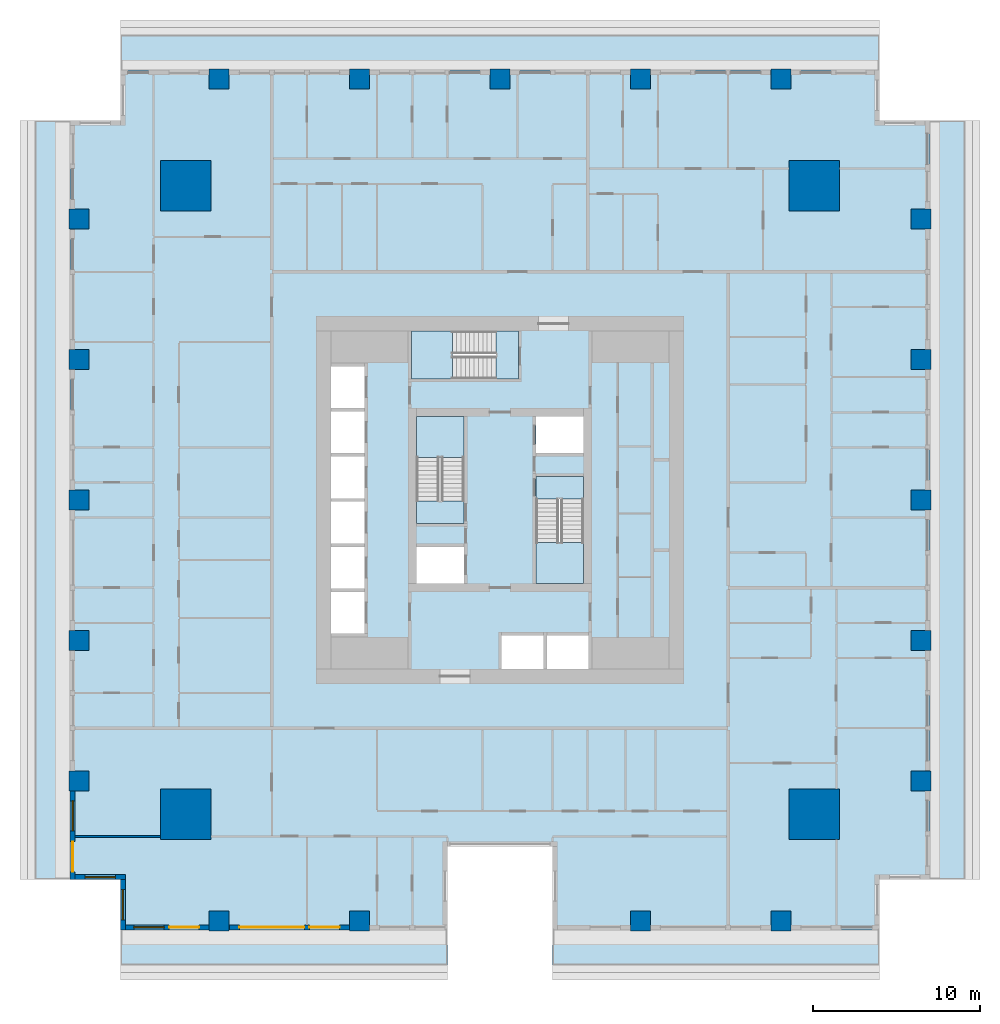
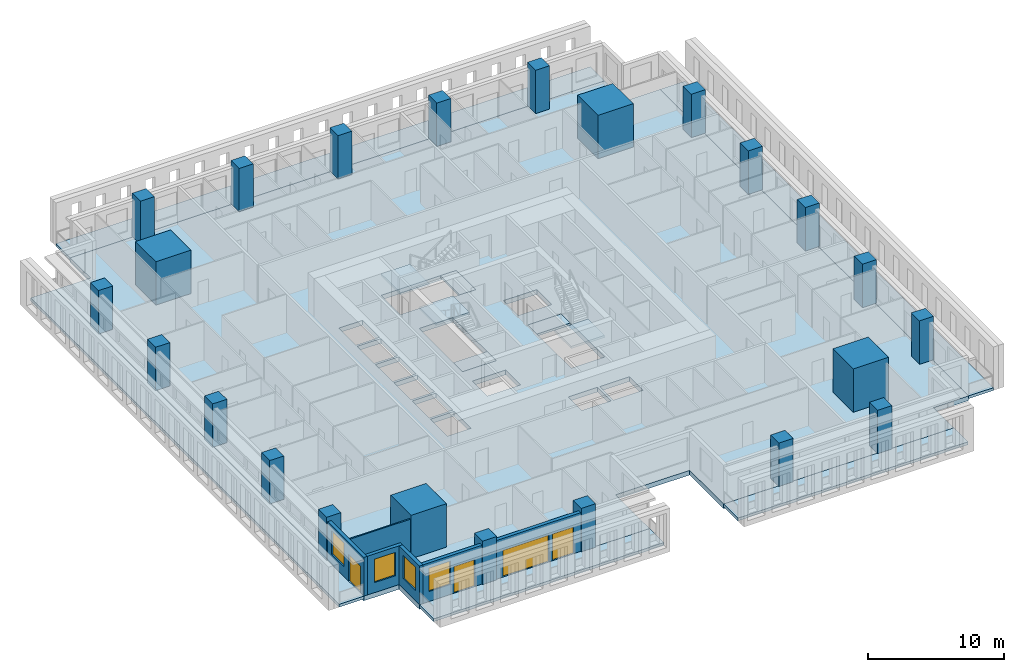
# One storey, part 1 of 15: 23 columns, 12 slabs, 6 walls, 4 doors, 4 windows, 8 openings, 3 elements without a shape of their own.
"""IFC4 building model written with IfcOpenShell, lengths in metres."""

import ifcopenshell
import ifcopenshell.guid

model = None  # the IFC model being written
_history = None  # IfcOwnerHistory: only IFC2X3 demands one
_inside = {}  # id of a spatial element -> (the spatial element, [elements in it])
_under = {}  # id of a project, library or spatial element -> (it, [spatial elements below it])
_declared = {}  # id of a project -> (the project, [libraries it declares])
_typed = {}  # id of a type object -> (the type object, [elements of that type])
_made_of = {}  # id of a material, layer set ... -> (it, [elements and type objects made of it])


def new_model(schema):
    """Start an empty IFC model of exactly this schema.

    Asked for "IFC4X3", IfcOpenShell would pick the latest addendum, in which some entities
    have other attributes; the version numbers below select the first issue.
    IFC2X3 requires an IfcOwnerHistory on every rooted entity: one is made here for all.
    """
    global model, _history
    if schema == "IFC4X3":
        model = ifcopenshell.file(schema_version=(4, 3, 0, 0))
    else:
        model = ifcopenshell.file(schema=schema)
    _inside.clear()
    _under.clear()
    _declared.clear()
    _typed.clear()
    _made_of.clear()
    _history = None
    if model.schema == "IFC2X3":
        org = make("IfcOrganization", Name="unknown")
        user = make(
            "IfcPersonAndOrganization",
            ThePerson=make("IfcPerson", FamilyName="unknown"),
            TheOrganization=org,
        )
        app = make(
            "IfcApplication",
            ApplicationDeveloper=org,
            Version="unknown",
            ApplicationFullName="unknown",
            ApplicationIdentifier="unknown",
        )
        _history = make(
            "IfcOwnerHistory",
            OwningUser=user,
            OwningApplication=app,
            ChangeAction="ADDED",
            CreationDate=0,
        )
    return model


def make(cls, **values):
    """One entity of the class cls with the attributes given. An attribute that is None is left unset."""
    return model.create_entity(
        cls, **{name: value for name, value in values.items() if value is not None}
    )


def rooted(cls, **values):
    """An entity with a GlobalId (a new one), such as an element, a storey or a relation."""
    return make(cls, GlobalId=ifcopenshell.guid.new(), OwnerHistory=_history, **values)


def si_unit(unit_type, name, prefix=None):
    """IfcSIUnit, for example si_unit("LENGTHUNIT", "METRE", prefix="MILLI")."""
    return make("IfcSIUnit", UnitType=unit_type, Prefix=prefix, Name=name)


def assignment(units):
    """IfcUnitAssignment: the units of a project."""
    return None if units is None else make("IfcUnitAssignment", Units=units)


def point(xyz):
    """IfcCartesianPoint."""
    return None if xyz is None else make("IfcCartesianPoint", Coordinates=xyz)


def direction(xyz):
    """IfcDirection."""
    return None if xyz is None else make("IfcDirection", DirectionRatios=xyz)


def frame(location, z_axis=None, x_axis=None):
    """IfcAxis2Placement3D, a coordinate frame: its origin and axes. An axis left out is left unset."""
    return make(
        "IfcAxis2Placement3D",
        Location=point(location),
        Axis=direction(z_axis),
        RefDirection=direction(x_axis),
    )


def frame_2d(location, x_axis=None):
    """IfcAxis2Placement2D, a coordinate frame in the plane: its origin and x axis."""
    return make(
        "IfcAxis2Placement2D", Location=point(location), RefDirection=direction(x_axis)
    )


def origin():
    """The frame at (0, 0, 0) with its axes left unset."""
    return frame((0.0, 0.0, 0.0))


def origin_2d():
    """The frame at (0, 0) in the plane with its x axis left unset."""
    return frame_2d((0.0, 0.0))


def place(relative_to, where):
    """IfcLocalPlacement: puts the frame where relative to a parent placement (None: the world)."""
    return make(
        "IfcLocalPlacement", PlacementRelTo=relative_to, RelativePlacement=where
    )


def context(
    kind, dimensions, precision=None, world=None, true_north=None, identifier=None
):
    """IfcGeometricRepresentationContext, for example the 3D "Model" context."""
    return make(
        "IfcGeometricRepresentationContext",
        ContextIdentifier=identifier,
        ContextType=kind,
        CoordinateSpaceDimension=dimensions,
        Precision=precision,
        WorldCoordinateSystem=world,
        TrueNorth=true_north,
    )


def subcontext(parent, identifier, kind, view, scale=None):
    """IfcGeometricRepresentationSubContext, for example "Body" below "Model"."""
    return make(
        "IfcGeometricRepresentationSubContext",
        ContextIdentifier=identifier,
        ContextType=kind,
        ParentContext=parent,
        TargetScale=scale,
        TargetView=view,
    )


def project(units=None, contexts=None):
    """IfcProject with its units and contexts."""
    return rooted(
        "IfcProject",
        Name="project",
        RepresentationContexts=contexts,
        UnitsInContext=assignment(units),
    )


def spatial(cls, under=None, at=None, **own):
    """A site, building, storey or space (cls), placed at a placement, below another one or the project."""
    s = rooted(cls, ObjectPlacement=at, **own)
    if under is not None:
        _under.setdefault(under.id(), (under, []))[1].append(s)
    return s


def polyline(points):
    """IfcPolyline through the points."""
    return make("IfcPolyline", Points=[point(p) for p in points])


def profile(cls, at=None, kind="AREA", **sizes):
    """A parametric profile (cls). Its sizes go by their IFC names, for example OverallWidth=200.0."""
    return make(cls, ProfileType=kind, Position=at, **sizes)


def rectangle(**sizes):
    """IfcRectangleProfileDef."""
    return profile("IfcRectangleProfileDef", **sizes)


def outline(outer, holes=None, kind="AREA"):
    """IfcArbitraryClosedProfileDef: a profile drawn as a closed curve; with holes, ...WithVoids."""
    if holes is None:
        return make("IfcArbitraryClosedProfileDef", ProfileType=kind, OuterCurve=outer)
    return make(
        "IfcArbitraryProfileDefWithVoids",
        ProfileType=kind,
        OuterCurve=outer,
        InnerCurves=holes,
    )


def extrude(swept, where, along, depth):
    """IfcExtrudedAreaSolid: the profile swept, set in the frame where, extruded along a direction by depth."""
    return make(
        "IfcExtrudedAreaSolid",
        SweptArea=swept,
        Position=where,
        ExtrudedDirection=direction(along),
        Depth=depth,
    )


def shape(context_of_items, identifier, shape_type, items):
    """IfcShapeRepresentation: the items that make up one representation, for example the "Body"."""
    return make(
        "IfcShapeRepresentation",
        ContextOfItems=context_of_items,
        RepresentationIdentifier=identifier,
        RepresentationType=shape_type,
        Items=items,
    )


def material(Name=None, Category=None):
    """IfcMaterial."""
    return make("IfcMaterial", Name=Name, Category=Category)


def layer(
    of_material, thickness, ventilated=None, Name=None, Category=None, Priority=None
):
    """IfcMaterialLayer: one layer of a wall or slab, of a material (None: an air gap)."""
    return make(
        "IfcMaterialLayer",
        Material=of_material,
        LayerThickness=thickness,
        IsVentilated=ventilated,
        Name=Name,
        Category=Category,
        Priority=Priority,
    )


def layer_set(layers, Name=None):
    """IfcMaterialLayerSet."""
    return make("IfcMaterialLayerSet", MaterialLayers=layers, LayerSetName=Name)


def material_profile(
    of_material, cross_section, Name=None, Category=None, Priority=None
):
    """IfcMaterialProfile: a cross section and its material."""
    return make(
        "IfcMaterialProfile",
        Name=Name,
        Material=of_material,
        Profile=cross_section,
        Priority=Priority,
        Category=Category,
    )


def profile_set(profiles, Name=None, composite=None):
    """IfcMaterialProfileSet."""
    return make(
        "IfcMaterialProfileSet",
        Name=Name,
        MaterialProfiles=profiles,
        CompositeProfile=composite,
    )


def made_of(thing, what):
    """Note that an element or type object is made of a material, layer set ...; save() writes the relation."""
    if what is not None:
        _made_of.setdefault(what.id(), (what, []))[1].append(thing)
    return thing


def type_object(cls, material=None, **own):
    """A type object (cls), such as IfcWallType, which elements share."""
    return made_of(rooted(cls, **own), material)


def element(
    cls,
    number,
    at=None,
    inside=None,
    cuts=None,
    type_object=None,
    material=None,
    context=None,
    identifier="Body",
    shape_type=None,
    held_by="IfcProductDefinitionShape",
    body=None,
    shapes=None,
    **own,
):
    """One element of the class cls, such as IfcWall. Its Tag is "e" and its number.

    at: its placement. inside: the storey or other place that contains it. cuts: it is an
    opening in that element (IfcRelVoidsElement). A single representation is given by context,
    identifier, shape_type and body (its items); several are given by shapes. held_by: the class
    of the entity that holds the representations. save() writes the other relations.
    """
    e = rooted(cls, Tag="e%d" % number, ObjectPlacement=at, **own)
    if body is not None:
        shapes = [shape(context, identifier, shape_type, body)]
    if shapes is not None:
        e.Representation = make(held_by, Representations=shapes)
    if inside is not None:
        _inside.setdefault(inside.id(), (inside, []))[1].append(e)
    if cuts is not None:
        rooted(
            "IfcRelVoidsElement", RelatingBuildingElement=cuts, RelatedOpeningElement=e
        )
    if type_object is not None:
        _typed.setdefault(type_object.id(), (type_object, []))[1].append(e)
    return made_of(e, material)


def fill(opening, filler):
    """IfcRelFillsElement: the door or window that sits in an opening."""
    return rooted(
        "IfcRelFillsElement",
        RelatingOpeningElement=opening,
        RelatedBuildingElement=filler,
    )


def aggregate(whole, parts):
    """IfcRelAggregates: a whole, such as a stair, and the parts it consists of."""
    return rooted("IfcRelAggregates", RelatingObject=whole, RelatedObjects=parts)


def save(model, path):
    """Write the relations noted so far, then the file.

    IfcRelAggregates (storeys below a building ...), IfcRelContainedInSpatialStructure (elements
    in a storey), IfcRelDefinesByType, IfcRelAssociatesMaterial and IfcRelDeclares: one each for
    every whole, place, type object, material and project.
    """
    for whole, parts in _under.values():
        aggregate(whole, parts)
    for where, things in _inside.values():
        rooted(
            "IfcRelContainedInSpatialStructure",
            RelatedElements=things,
            RelatingStructure=where,
        )
    for kind, things in _typed.values():
        rooted("IfcRelDefinesByType", RelatedObjects=things, RelatingType=kind)
    for what, things in _made_of.values():
        rooted("IfcRelAssociatesMaterial", RelatedObjects=things, RelatingMaterial=what)
    for by, libraries in _declared.values():
        rooted("IfcRelDeclares", RelatingContext=by, RelatedDefinitions=libraries)
    model.write(path)


model = new_model("IFC4")

# Units and contexts
model_context = context("Model", 3, precision=1e-05, world=origin(), true_north=direction((0.0, 1.0)))
body_context = subcontext(model_context, "Body", "Model", "MODEL_VIEW")
ifc_project = project(units=[si_unit("LENGTHUNIT", "METRE"), si_unit("AREAUNIT", "SQUARE_METRE"), si_unit("VOLUMEUNIT", "CUBIC_METRE"), si_unit("PLANEANGLEUNIT", "RADIAN"), si_unit("MASSUNIT", "GRAM", prefix="KILO")], contexts=[model_context])

# Site, building, storey
site_placement = place(None, origin())
site = spatial("IfcSite", under=ifc_project, at=site_placement, CompositionType="ELEMENT")
building_placement = place(site_placement, origin())
building = spatial("IfcBuilding", under=site, at=building_placement, Name="Khepri Terraces", CompositionType="ELEMENT")
storey_placement = place(building_placement, frame((0.0, 0.0, 30.89990234375)))
storey = spatial("IfcBuildingStorey", under=building, at=storey_placement, Name="L06", CompositionType="ELEMENT", Elevation=30.89990234375)

# Columns
ifc_material_1 = material(Name="Concrete C80/95", Category="concrete")
ifc_material_profile_1 = material_profile(ifc_material_1, rectangle(XDim=3.0, YDim=3.0, at=origin_2d()), Name="Concrete C80/95", Category="concrete")
ifc_profile_set_1 = profile_set([ifc_material_profile_1], Name="Concrete C80/95")
column_type_1 = type_object("IfcColumnType", Name="Mega column RC 3000x3000 C80/95", PredefinedType="COLUMN", material=ifc_profile_set_1)
for number, where, z_axis, x_axis, name in (
    (1, (18.800048828125, 18.800048828125, 0.0), (0.0, 0.0, 1.0), (1.0, 0.0, 0.0), "Mega column MEN L06"),
    (2, (18.800048828125, -18.800048828125, 0.0), (0.0, 0.0, 1.0), (1.0, 0.0, 0.0), "Mega column MES L06"),
    (3, (-18.800048828125, 18.800048828125, 0.0), (0.0, 0.0, 1.0), (1.0, 0.0, 0.0), "Mega column MWN L06"),
    (4, (-18.800048828125, -18.800048828125, 0.0), (0.0, 0.0, 1.0), (1.0, 0.0, 0.0), "Mega column MWS L06"),
):
    element("IfcColumn", number, at=place(storey_placement, frame(where, z_axis=z_axis, x_axis=x_axis)), inside=storey, type_object=column_type_1, Name=name, PredefinedType="COLUMN", context=body_context, shape_type="SweptSolid", body=[
        extrude(rectangle(XDim=3.0, YDim=3.0, at=origin_2d()), origin(), (0.0, 0.0, 1.0), 3.900146484375),
    ])
ifc_material_profile_2 = material_profile(ifc_material_1, rectangle(XDim=1.199951171875, YDim=1.199951171875, at=origin_2d()), Name="Concrete C80/95", Category="concrete")
ifc_profile_set_2 = profile_set([ifc_material_profile_2], Name="Concrete C80/95")
column_type_2 = type_object("IfcColumnType", Name="Tower column RC 1200x1200 C80/95", PredefinedType="COLUMN", material=ifc_profile_set_2)
for number, where, z_axis, x_axis, name in (
    (5, (25.199951171875, 0.0, 0.0), (0.0, 0.0, 1.0), (1.0, 0.0, 0.0), "Perimeter column PE+000a L06"),
    (6, (25.199951171875, 8.39990234375, 0.0), (0.0, 0.0, 1.0), (1.0, 0.0, 0.0), "Perimeter column PE+084a L06"),
    (7, (25.199951171875, 16.800048828125, 0.0), (0.0, 0.0, 1.0), (1.0, 0.0, 0.0), "Perimeter column PE+168a L06"),
    (8, (25.199951171875, -8.39990234375, 0.0), (0.0, 0.0, 1.0), (1.0, 0.0, 0.0), "Perimeter column PE-084a L06"),
    (9, (25.199951171875, -16.800048828125, 0.0), (0.0, 0.0, 1.0), (1.0, 0.0, 0.0), "Perimeter column PE-168a L06"),
    (10, (0.0, 25.199951171875, 0.0), (0.0, 0.0, 1.0), (1.0, 0.0, 0.0), "Perimeter column PN+000a L06"),
    (11, (-8.39990234375, 25.199951171875, 0.0), (0.0, 0.0, 1.0), (1.0, 0.0, 0.0), "Perimeter column PN+084a L06"),
    (12, (-16.800048828125, 25.199951171875, 0.0), (0.0, 0.0, 1.0), (1.0, 0.0, 0.0), "Perimeter column PN+168a L06"),
    (13, (8.39990234375, 25.199951171875, 0.0), (0.0, 0.0, 1.0), (1.0, 0.0, 0.0), "Perimeter column PN-084a L06"),
    (14, (16.800048828125, 25.199951171875, 0.0), (0.0, 0.0, 1.0), (1.0, 0.0, 0.0), "Perimeter column PN-168a L06"),
    (15, (8.39990234375, -25.199951171875, 0.0), (0.0, 0.0, 1.0), (1.0, 0.0, 0.0), "Perimeter column PS+084a L06"),
    (16, (16.800048828125, -25.199951171875, 0.0), (0.0, 0.0, 1.0), (1.0, 0.0, 0.0), "Perimeter column PS+168a L06"),
    (17, (-8.39990234375, -25.199951171875, 0.0), (0.0, 0.0, 1.0), (1.0, 0.0, 0.0), "Perimeter column PS-084a L06"),
    (18, (-16.800048828125, -25.199951171875, 0.0), (0.0, 0.0, 1.0), (1.0, 0.0, 0.0), "Perimeter column PS-168a L06"),
    (19, (-25.199951171875, 0.0, 0.0), (0.0, 0.0, 1.0), (1.0, 0.0, 0.0), "Perimeter column PW+000a L06"),
    (20, (-25.199951171875, -8.39990234375, 0.0), (0.0, 0.0, 1.0), (1.0, 0.0, 0.0), "Perimeter column PW+084a L06"),
    (21, (-25.199951171875, -16.800048828125, 0.0), (0.0, 0.0, 1.0), (1.0, 0.0, 0.0), "Perimeter column PW+168a L06"),
    (22, (-25.199951171875, 8.39990234375, 0.0), (0.0, 0.0, 1.0), (1.0, 0.0, 0.0), "Perimeter column PW-084a L06"),
    (23, (-25.199951171875, 16.800048828125, 0.0), (0.0, 0.0, 1.0), (1.0, 0.0, 0.0), "Perimeter column PW-168a L06"),
):
    element("IfcColumn", number, at=place(storey_placement, frame(where, z_axis=z_axis, x_axis=x_axis)), inside=storey, type_object=column_type_2, Name=name, PredefinedType="COLUMN", context=body_context, shape_type="SweptSolid", body=[
        extrude(rectangle(XDim=1.199951171875, YDim=1.199951171875, at=origin_2d()), origin(), (0.0, 0.0, 1.0), 3.900146484375),
    ])

# Slabs
ifc_material_2 = material(Name="Concrete C40/50", Category="concrete")
ifc_layer_1 = layer(ifc_material_2, 0.419921875, Name="Concrete C40/50", Category="concrete")
ifc_layer_set_1 = layer_set([ifc_layer_1], Name="Concrete C40/50")
slab_type_1 = type_object("IfcSlabType", Name="Flat plate 420", PredefinedType="FLOOR", material=ifc_layer_set_1)
slab_1_placement = place(storey_placement, frame((0.0, 0.0, -0.419921875)))
element("IfcSlab", 24, at=slab_1_placement, inside=storey, type_object=slab_type_1, Name="Floor slab F01 L06", PredefinedType="FLOOR", context=body_context, shape_type="SweptSolid", body=[
    extrude(outline(polyline([(22.719970703125, 22.719970703125), (25.719970703125, 22.719970703125), (25.719970703125, -22.719970703125), (22.719970703125, -22.719970703125), (22.719970703125, -25.719970703125), (3.14990234375, -25.719970703125), (3.14990234375, -20.719970703125), (-3.14990234375, -20.719970703125), (-3.14990234375, -25.719970703125), (-22.719970703125, -25.719970703125), (-22.719970703125, -22.719970703125), (-25.719970703125, -22.719970703125), (-25.719970703125, 22.719970703125), (-22.719970703125, 22.719970703125), (-22.719970703125, 25.719970703125), (22.719970703125, 25.719970703125), (22.719970703125, 22.719970703125)]), holes=[polyline([(5.0, 5.0), (2.14990234375, 5.0), (2.14990234375, 2.800048828125), (5.0, 2.800048828125), (5.0, 5.0)]), polyline([(-2.14990234375, -5.0), (-2.14990234375, -2.800048828125), (-5.0, -2.800048828125), (-5.0, -5.0), (-2.14990234375, -5.0)]), polyline([(-10.10009765625, -8.0), (-8.10009765625, -8.0), (-8.10009765625, -5.5), (-10.10009765625, -5.5), (-10.10009765625, -8.0)]), polyline([(-10.10009765625, -2.800048828125), (-10.10009765625, -5.300048828125), (-8.10009765625, -5.300048828125), (-8.10009765625, -2.800048828125), (-10.10009765625, -2.800048828125)]), polyline([(-8.10009765625, -0.10009765625), (-10.10009765625, -0.10009765625), (-10.10009765625, -2.60009765625), (-8.10009765625, -2.60009765625), (-8.10009765625, -0.10009765625)]), polyline([(-8.10009765625, 0.10009765625), (-8.10009765625, 2.60009765625), (-10.10009765625, 2.60009765625), (-10.10009765625, 0.10009765625), (-8.10009765625, 0.10009765625)]), polyline([(-10.10009765625, 2.800048828125), (-8.10009765625, 2.800048828125), (-8.10009765625, 5.300048828125), (-10.10009765625, 5.300048828125), (-10.10009765625, 2.800048828125)]), polyline([(-10.10009765625, 8.0), (-10.10009765625, 5.5), (-8.10009765625, 5.5), (-8.10009765625, 8.0), (-10.10009765625, 8.0)]), polyline([(2.60009765625, -8.10009765625), (0.10009765625, -8.10009765625), (0.10009765625, -10.10009765625), (2.60009765625, -10.10009765625), (2.60009765625, -8.10009765625)]), polyline([(5.300048828125, -10.10009765625), (5.300048828125, -8.10009765625), (2.800048828125, -8.10009765625), (2.800048828125, -10.10009765625), (5.300048828125, -10.10009765625)]), polyline([(-5.0, -1.39990234375), (-2.14990234375, -1.39990234375), (-2.14990234375, 5.0), (-5.0, 5.0), (-5.0, -1.39990234375)]), polyline([(5.0, -5.0), (5.0, 1.39990234375), (2.14990234375, 1.39990234375), (2.14990234375, -5.0), (5.0, -5.0)]), polyline([(-5.300048828125, 10.10009765625), (-5.300048828125, 7.25), (1.10009765625, 7.25), (1.10009765625, 10.10009765625), (-5.300048828125, 10.10009765625)])]), origin(), (0.0, 0.0, 1.0), 0.419921875),
])
ifc_material_3 = material(Name="Precast concrete C50/60 warm stone", Category="masonry")
ifc_layer_2 = layer(ifc_material_3, 0.25, Name="Precast concrete C50/60 warm stone", Category="masonry")
ifc_layer_set_2 = layer_set([ifc_layer_2], Name="Precast concrete C50/60 warm stone")
slab_type_2 = type_object("IfcSlabType", Name="SLB-BALCONY-250", PredefinedType="FLOOR", material=ifc_layer_set_2)
slab_2_placement = place(storey_placement, frame((0.0, 0.0, -0.25)))
element("IfcSlab", 25, at=slab_2_placement, inside=storey, type_object=slab_type_2, Name="Balcony slab L06 S", PredefinedType="FLOOR", context=body_context, shape_type="SweptSolid", body=[
    extrude(outline(polyline([(-17.39990234375, -25.719970703125), (-22.719970703125, -25.719970703125), (-22.719970703125, -27.820068359375), (-3.14990234375, -27.820068359375), (-3.14990234375, -25.719970703125), (-7.800048828125, -25.719970703125), (-7.800048828125, -25.800048828125), (-9.0, -25.800048828125), (-9.0, -25.719970703125), (-16.199951171875, -25.719970703125), (-16.199951171875, -25.800048828125), (-17.39990234375, -25.800048828125), (-17.39990234375, -25.719970703125)])), origin(), (0.0, 0.0, 1.0), 0.25),
])
slab_3_placement = place(storey_placement, frame((0.0, 0.0, -0.25)))
element("IfcSlab", 26, at=slab_3_placement, inside=storey, type_object=slab_type_2, Name="Balcony slab L06 S", PredefinedType="FLOOR", context=body_context, shape_type="SweptSolid", body=[
    extrude(outline(polyline([(7.800048828125, -25.719970703125), (3.14990234375, -25.719970703125), (3.14990234375, -27.820068359375), (22.719970703125, -27.820068359375), (22.719970703125, -25.719970703125), (17.39990234375, -25.719970703125), (17.39990234375, -25.800048828125), (16.199951171875, -25.800048828125), (16.199951171875, -25.719970703125), (9.0, -25.719970703125), (9.0, -25.800048828125), (7.800048828125, -25.800048828125), (7.800048828125, -25.719970703125)])), origin(), (0.0, 0.0, 1.0), 0.25),
])
slab_4_placement = place(storey_placement, frame((0.0, 0.0, -0.25)))
element("IfcSlab", 27, at=slab_4_placement, inside=storey, type_object=slab_type_2, Name="Balcony slab L06 E", PredefinedType="FLOOR", context=body_context, shape_type="SweptSolid", body=[
    extrude(outline(polyline([(25.719970703125, -17.39990234375), (25.719970703125, -22.719970703125), (27.820068359375, -22.719970703125), (27.820068359375, 22.719970703125), (25.719970703125, 22.719970703125), (25.719970703125, 17.39990234375), (25.800048828125, 17.39990234375), (25.800048828125, 16.199951171875), (25.719970703125, 16.199951171875), (25.719970703125, 9.0), (25.800048828125, 9.0), (25.800048828125, 7.800048828125), (25.719970703125, 7.800048828125), (25.719970703125, 0.60009765625), (25.800048828125, 0.60009765625), (25.800048828125, -0.60009765625), (25.719970703125, -0.60009765625), (25.719970703125, -7.800048828125), (25.800048828125, -7.800048828125), (25.800048828125, -9.0), (25.719970703125, -9.0), (25.719970703125, -16.199951171875), (25.800048828125, -16.199951171875), (25.800048828125, -17.39990234375), (25.719970703125, -17.39990234375)])), origin(), (0.0, 0.0, 1.0), 0.25),
])
slab_5_placement = place(storey_placement, frame((0.0, 0.0, -0.25)))
element("IfcSlab", 28, at=slab_5_placement, inside=storey, type_object=slab_type_2, Name="Balcony slab L06 N", PredefinedType="FLOOR", context=body_context, shape_type="SweptSolid", body=[
    extrude(outline(polyline([(17.39990234375, 25.719970703125), (22.719970703125, 25.719970703125), (22.719970703125, 27.820068359375), (-22.719970703125, 27.820068359375), (-22.719970703125, 25.719970703125), (-17.39990234375, 25.719970703125), (-17.39990234375, 25.800048828125), (-16.199951171875, 25.800048828125), (-16.199951171875, 25.719970703125), (-9.0, 25.719970703125), (-9.0, 25.800048828125), (-7.800048828125, 25.800048828125), (-7.800048828125, 25.719970703125), (-0.60009765625, 25.719970703125), (-0.60009765625, 25.800048828125), (0.60009765625, 25.800048828125), (0.60009765625, 25.719970703125), (7.800048828125, 25.719970703125), (7.800048828125, 25.800048828125), (9.0, 25.800048828125), (9.0, 25.719970703125), (16.199951171875, 25.719970703125), (16.199951171875, 25.800048828125), (17.39990234375, 25.800048828125), (17.39990234375, 25.719970703125)])), origin(), (0.0, 0.0, 1.0), 0.25),
])
slab_6_placement = place(storey_placement, frame((0.0, 0.0, -0.25)))
element("IfcSlab", 29, at=slab_6_placement, inside=storey, type_object=slab_type_2, Name="Balcony slab L06 W", PredefinedType="FLOOR", context=body_context, shape_type="SweptSolid", body=[
    extrude(outline(polyline([(-25.719970703125, 17.39990234375), (-25.719970703125, 22.719970703125), (-27.820068359375, 22.719970703125), (-27.820068359375, -22.719970703125), (-25.719970703125, -22.719970703125), (-25.719970703125, -17.39990234375), (-25.800048828125, -17.39990234375), (-25.800048828125, -16.199951171875), (-25.719970703125, -16.199951171875), (-25.719970703125, -9.0), (-25.800048828125, -9.0), (-25.800048828125, -7.800048828125), (-25.719970703125, -7.800048828125), (-25.719970703125, -0.60009765625), (-25.800048828125, -0.60009765625), (-25.800048828125, 0.60009765625), (-25.719970703125, 0.60009765625), (-25.719970703125, 7.800048828125), (-25.800048828125, 7.800048828125), (-25.800048828125, 9.0), (-25.719970703125, 9.0), (-25.719970703125, 16.199951171875), (-25.800048828125, 16.199951171875), (-25.800048828125, 17.39990234375), (-25.719970703125, 17.39990234375)])), origin(), (0.0, 0.0, 1.0), 0.25),
])

# Stair, slabs
stair_type = type_object("IfcStairType", Name="STAIR-RC-22R", PredefinedType="HALF_TURN_STAIR", material=ifc_material_2)
stair_1_placement = place(storey_placement, origin())
stair_1 = element("IfcStair", 30, at=stair_1_placement, inside=storey, type_object=stair_type, Name="L06 Exit Stair ST-1", PredefinedType="HALF_TURN_STAIR")
ifc_layer_3 = layer(ifc_material_2, 0.199951171875, Name="Concrete C40/50", Category="concrete")
ifc_layer_set_3 = layer_set([ifc_layer_3], Name="Concrete C40/50")
slab_type_3 = type_object("IfcSlabType", Name="SLB-CORE-LANDING", PredefinedType="LANDING", material=ifc_layer_set_3)
slab_7_placement = place(storey_placement, frame((0.0, 0.0, -0.199951171875)))
slab_7 = element("IfcSlab", 31, at=slab_7_placement, type_object=slab_type_3, Name="ST-1 landing 1", PredefinedType="LANDING", context=body_context, shape_type="SweptSolid", body=[
    extrude(outline(polyline([(-2.14990234375, -1.39990234375), (-2.14990234375, -0.050048828125), (-5.0, -0.050048828125), (-5.0, -1.39990234375), (-2.14990234375, -1.39990234375)])), origin(), (0.0, 0.0, 1.0), 0.199951171875),
])
slab_8_placement = place(storey_placement, frame((0.0, 0.0, 1.75)))
slab_8 = element("IfcSlab", 32, at=slab_8_placement, type_object=slab_type_3, Name="ST-1 landing 2", PredefinedType="LANDING", context=body_context, shape_type="SweptSolid", body=[
    extrude(outline(polyline([(-2.14990234375, 2.550048828125), (-2.14990234375, 5.0), (-5.0, 5.0), (-5.0, 2.550048828125), (-2.14990234375, 2.550048828125)])), origin(), (0.0, 0.0, 1.0), 0.2001953125),
])
aggregate(stair_1, [slab_7, slab_8])

stair_2_placement = place(storey_placement, origin())
stair_2 = element("IfcStair", 33, at=stair_2_placement, inside=storey, type_object=stair_type, Name="L06 Exit Stair ST-2", PredefinedType="HALF_TURN_STAIR")
slab_9_placement = place(storey_placement, frame((0.0, 0.0, -0.199951171875)))
slab_9 = element("IfcSlab", 34, at=slab_9_placement, type_object=slab_type_3, Name="ST-2 landing 1", PredefinedType="LANDING", context=body_context, shape_type="SweptSolid", body=[
    extrude(outline(polyline([(2.14990234375, 1.39990234375), (2.14990234375, 0.050048828125), (5.0, 0.050048828125), (5.0, 1.39990234375), (2.14990234375, 1.39990234375)])), origin(), (0.0, 0.0, 1.0), 0.199951171875),
])
slab_10_placement = place(storey_placement, frame((0.0, 0.0, 1.75)))
slab_10 = element("IfcSlab", 35, at=slab_10_placement, type_object=slab_type_3, Name="ST-2 landing 2", PredefinedType="LANDING", context=body_context, shape_type="SweptSolid", body=[
    extrude(outline(polyline([(2.14990234375, -2.550048828125), (2.14990234375, -5.0), (5.0, -5.0), (5.0, -2.550048828125), (2.14990234375, -2.550048828125)])), origin(), (0.0, 0.0, 1.0), 0.2001953125),
])
aggregate(stair_2, [slab_9, slab_10])

stair_3_placement = place(storey_placement, origin())
stair_3 = element("IfcStair", 36, at=stair_3_placement, inside=storey, type_object=stair_type, Name="L06 Exit Stair ST-3", PredefinedType="HALF_TURN_STAIR")
slab_11_placement = place(storey_placement, frame((0.0, 0.0, -0.199951171875)))
slab_11 = element("IfcSlab", 37, at=slab_11_placement, type_object=slab_type_3, Name="ST-3 landing 1", PredefinedType="LANDING", context=body_context, shape_type="SweptSolid", body=[
    extrude(outline(polyline([(1.10009765625, 10.10009765625), (-0.25, 10.10009765625), (-0.25, 7.25), (1.10009765625, 7.25), (1.10009765625, 10.10009765625)])), origin(), (0.0, 0.0, 1.0), 0.199951171875),
])
slab_12_placement = place(storey_placement, frame((0.0, 0.0, 1.75)))
slab_12 = element("IfcSlab", 38, at=slab_12_placement, type_object=slab_type_3, Name="ST-3 landing 2", PredefinedType="LANDING", context=body_context, shape_type="SweptSolid", body=[
    extrude(outline(polyline([(-2.85009765625, 10.10009765625), (-5.300048828125, 10.10009765625), (-5.300048828125, 7.25), (-2.85009765625, 7.25), (-2.85009765625, 10.10009765625)])), origin(), (0.0, 0.0, 1.0), 0.2001953125),
])
aggregate(stair_3, [slab_11, slab_12])

# Wall, openings, door, window
ifc_layer_4 = layer(ifc_material_3, 0.300048828125, Name="Precast concrete C50/60 warm stone", Category="masonry")
ifc_layer_set_4 = layer_set([ifc_layer_4], Name="Precast concrete C50/60 warm stone")
wall_type_1 = type_object("IfcWallType", Name="WL-EXT-PRECAST-300", PredefinedType="STANDARD", material=ifc_layer_set_4)
wall_1_placement = place(storey_placement, frame((-25.570068359375, -17.39990234375, 0.0), z_axis=(0.0, 0.0, 1.0), x_axis=(0.0, -1.0, 0.0)))
wall_1 = element("IfcWall", 39, at=wall_1_placement, inside=storey, type_object=wall_type_1, Name="External wall L06 W", PredefinedType="STANDARD", context=body_context, shape_type="SweptSolid", body=[
    extrude(rectangle(XDim=5.320068359375, YDim=0.300048828125, at=frame_2d((2.66015625, 0.0))), origin(), (0.0, 0.0, 1.0), 3.47998046875),
])
opening_1_placement = place(wall_1_placement, frame((0.60009765625, 0.0, 0.89990234375)))
opening_1 = element("IfcOpeningElement", 40, at=opening_1_placement, cuts=wall_1, Name="Opening W1", PredefinedType="OPENING", context=body_context, shape_type="SweptSolid", body=[
    extrude(rectangle(XDim=1.800048828125, YDim=2.10009765625, at=frame_2d((0.89990234375, 1.050048828125))), frame((0.0, 0.16015625, 0.0), z_axis=(0.0, -1.0, 0.0), x_axis=(1.0, 0.0, 0.0)), (0.0, 0.0, 1.0), 0.320068359375),
])
opening_2_placement = place(wall_1_placement, frame((3.044921875, 0.0, 0.0)))
opening_2 = element("IfcOpeningElement", 41, at=opening_2_placement, cuts=wall_1, Name="Opening ED-L06-16", PredefinedType="OPENING", context=body_context, shape_type="SweptSolid", body=[
    extrude(rectangle(XDim=1.800048828125, YDim=2.39990234375, at=frame_2d((0.89990234375, 1.199951171875))), frame((0.0, 0.16015625, 0.0), z_axis=(0.0, -1.0, 0.0), x_axis=(1.0, 0.0, 0.0)), (0.0, 0.0, 1.0), 0.320068359375),
])
ifc_material_4 = material(Name="Anodised aluminium bronze glazed door", Category="aluminium")
door_type_1 = type_object("IfcDoorType", Name="DR-BAL-SLIDE-1800x2400", OperationType="NOTDEFINED", PredefinedType="DOOR", material=ifc_material_4)
door_1_placement = place(opening_2_placement, origin())
door_1 = element("IfcDoor", 42, at=door_1_placement, inside=storey, type_object=door_type_1, Name="Balcony door L06 W", OperationType="SLIDING_TO_RIGHT", OverallHeight=2.39990234375, OverallWidth=1.800048828125, PredefinedType="DOOR", context=body_context, shape_type="SweptSolid", body=[
    extrude(rectangle(XDim=1.800048828125, YDim=2.39990234375, at=frame_2d((0.89990234375, 1.199951171875))), frame((0.0, 0.02490234375, 0.0), z_axis=(0.0, -1.0, 0.0), x_axis=(1.0, 0.0, 0.0)), (0.0, 0.0, 1.0), 0.050048828125),
])
fill(opening_2, door_1)
ifc_material_5 = material(Name="Clear glass", Category="glass")
window_type = type_object("IfcWindowType", Name="WIN-RES-1800x2100", PartitioningType="SINGLE_PANEL", PredefinedType="WINDOW", material=ifc_material_5)
window_1_placement = place(opening_1_placement, origin())
window_1 = element("IfcWindow", 43, at=window_1_placement, inside=storey, type_object=window_type, Name="Window L06 W", OverallHeight=2.10009765625, OverallWidth=1.800048828125, PartitioningType="SINGLE_PANEL", PredefinedType="WINDOW", context=body_context, shape_type="SweptSolid", body=[
    extrude(rectangle(XDim=1.800048828125, YDim=2.10009765625, at=frame_2d((0.89990234375, 1.050048828125))), frame((0.0, 0.030029296875, 0.0), z_axis=(0.0, -1.0, 0.0), x_axis=(1.0, 0.0, 0.0)), (0.0, 0.0, 1.0), 0.06005859375),
])
fill(opening_1, window_1)

# Wall, opening, window
wall_2_placement = place(storey_placement, frame((-25.419921875, -22.570068359375, 0.0), z_axis=(0.0, 0.0, 1.0), x_axis=(1.0, 0.0, 0.0)))
wall_2 = element("IfcWall", 44, at=wall_2_placement, inside=storey, type_object=wall_type_1, Name="External wall L06 S", PredefinedType="STANDARD", context=body_context, shape_type="SweptSolid", body=[
    extrude(rectangle(XDim=3.0, YDim=0.300048828125, at=frame_2d((1.5, 0.0))), origin(), (0.0, 0.0, 1.0), 3.47998046875),
])
opening_3_placement = place(wall_2_placement, frame((0.60009765625, 0.0, 0.89990234375)))
opening_3 = element("IfcOpeningElement", 45, at=opening_3_placement, cuts=wall_2, Name="Opening W1", PredefinedType="OPENING", context=body_context, shape_type="SweptSolid", body=[
    extrude(rectangle(XDim=1.800048828125, YDim=2.10009765625, at=frame_2d((0.89990234375, 1.050048828125))), frame((0.0, 0.16015625, 0.0), z_axis=(0.0, -1.0, 0.0), x_axis=(1.0, 0.0, 0.0)), (0.0, 0.0, 1.0), 0.320068359375),
])
window_2_placement = place(opening_3_placement, origin())
window_2 = element("IfcWindow", 46, at=window_2_placement, inside=storey, type_object=window_type, Name="Window L06 S", OverallHeight=2.10009765625, OverallWidth=1.800048828125, PartitioningType="SINGLE_PANEL", PredefinedType="WINDOW", context=body_context, shape_type="SweptSolid", body=[
    extrude(rectangle(XDim=1.800048828125, YDim=2.10009765625, at=frame_2d((0.89990234375, 1.050048828125))), frame((0.0, 0.030029296875, 0.0), z_axis=(0.0, -1.0, 0.0), x_axis=(1.0, 0.0, 0.0)), (0.0, 0.0, 1.0), 0.06005859375),
])
fill(opening_3, window_2)

wall_3_placement = place(storey_placement, frame((-22.570068359375, -22.719970703125, 0.0), z_axis=(0.0, 0.0, 1.0), x_axis=(0.0, -1.0, 0.0)))
wall_3 = element("IfcWall", 47, at=wall_3_placement, inside=storey, type_object=wall_type_1, Name="External wall L06 W", PredefinedType="STANDARD", context=body_context, shape_type="SweptSolid", body=[
    extrude(rectangle(XDim=3.0, YDim=0.300048828125, at=frame_2d((1.5, 0.0))), origin(), (0.0, 0.0, 1.0), 3.47998046875),
])
opening_4_placement = place(wall_3_placement, frame((0.60009765625, 0.0, 0.89990234375)))
opening_4 = element("IfcOpeningElement", 48, at=opening_4_placement, cuts=wall_3, Name="Opening W1", PredefinedType="OPENING", context=body_context, shape_type="SweptSolid", body=[
    extrude(rectangle(XDim=1.800048828125, YDim=2.10009765625, at=frame_2d((0.89990234375, 1.050048828125))), frame((0.0, 0.16015625, 0.0), z_axis=(0.0, -1.0, 0.0), x_axis=(1.0, 0.0, 0.0)), (0.0, 0.0, 1.0), 0.320068359375),
])
window_3_placement = place(opening_4_placement, origin())
window_3 = element("IfcWindow", 49, at=window_3_placement, inside=storey, type_object=window_type, Name="Window L06 W", OverallHeight=2.10009765625, OverallWidth=1.800048828125, PartitioningType="SINGLE_PANEL", PredefinedType="WINDOW", context=body_context, shape_type="SweptSolid", body=[
    extrude(rectangle(XDim=1.800048828125, YDim=2.10009765625, at=frame_2d((0.89990234375, 1.050048828125))), frame((0.0, 0.030029296875, 0.0), z_axis=(0.0, -1.0, 0.0), x_axis=(1.0, 0.0, 0.0)), (0.0, 0.0, 1.0), 0.06005859375),
])
fill(opening_4, window_3)

# Wall, openings, door, window
wall_4_placement = place(storey_placement, frame((-22.419921875, -25.570068359375, 0.0), z_axis=(0.0, 0.0, 1.0), x_axis=(1.0, 0.0, 0.0)))
wall_4 = element("IfcWall", 50, at=wall_4_placement, inside=storey, type_object=wall_type_1, Name="External wall L06 S", PredefinedType="STANDARD", context=body_context, shape_type="SweptSolid", body=[
    extrude(rectangle(XDim=5.02001953125, YDim=0.300048828125, at=frame_2d((2.510009765625, 0.0))), origin(), (0.0, 0.0, 1.0), 3.47998046875),
])
opening_5_placement = place(wall_4_placement, frame((0.52001953125, 0.0, 0.89990234375)))
opening_5 = element("IfcOpeningElement", 51, at=opening_5_placement, cuts=wall_4, Name="Opening W1", PredefinedType="OPENING", context=body_context, shape_type="SweptSolid", body=[
    extrude(rectangle(XDim=1.800048828125, YDim=2.10009765625, at=frame_2d((0.89990234375, 1.050048828125))), frame((0.0, 0.16015625, 0.0), z_axis=(0.0, -1.0, 0.0), x_axis=(1.0, 0.0, 0.0)), (0.0, 0.0, 1.0), 0.320068359375),
])
opening_6_placement = place(wall_4_placement, frame((2.6201171875, 0.0, 0.0)))
opening_6 = element("IfcOpeningElement", 52, at=opening_6_placement, cuts=wall_4, Name="Opening ED-L06-17", PredefinedType="OPENING", context=body_context, shape_type="SweptSolid", body=[
    extrude(rectangle(XDim=1.800048828125, YDim=2.39990234375, at=frame_2d((0.89990234375, 1.199951171875))), frame((0.0, 0.16015625, 0.0), z_axis=(0.0, -1.0, 0.0), x_axis=(1.0, 0.0, 0.0)), (0.0, 0.0, 1.0), 0.320068359375),
])
door_2_placement = place(opening_6_placement, origin())
door_2 = element("IfcDoor", 53, at=door_2_placement, inside=storey, type_object=door_type_1, Name="Balcony door L06 S", OperationType="SLIDING_TO_RIGHT", OverallHeight=2.39990234375, OverallWidth=1.800048828125, PredefinedType="DOOR", context=body_context, shape_type="SweptSolid", body=[
    extrude(rectangle(XDim=1.800048828125, YDim=2.39990234375, at=frame_2d((0.89990234375, 1.199951171875))), frame((0.0, 0.02490234375, 0.0), z_axis=(0.0, -1.0, 0.0), x_axis=(1.0, 0.0, 0.0)), (0.0, 0.0, 1.0), 0.050048828125),
])
fill(opening_6, door_2)
window_4_placement = place(opening_5_placement, origin())
window_4 = element("IfcWindow", 54, at=window_4_placement, inside=storey, type_object=window_type, Name="Window L06 S", OverallHeight=2.10009765625, OverallWidth=1.800048828125, PartitioningType="SINGLE_PANEL", PredefinedType="WINDOW", context=body_context, shape_type="SweptSolid", body=[
    extrude(rectangle(XDim=1.800048828125, YDim=2.10009765625, at=frame_2d((0.89990234375, 1.050048828125))), frame((0.0, 0.030029296875, 0.0), z_axis=(0.0, -1.0, 0.0), x_axis=(1.0, 0.0, 0.0)), (0.0, 0.0, 1.0), 0.06005859375),
])
fill(opening_5, window_4)

# Wall, openings, doors
wall_5_placement = place(storey_placement, frame((-16.199951171875, -25.570068359375, 0.0), z_axis=(0.0, 0.0, 1.0), x_axis=(1.0, 0.0, 0.0)))
wall_5 = element("IfcWall", 55, at=wall_5_placement, inside=storey, type_object=wall_type_1, Name="External wall L06 S", PredefinedType="STANDARD", context=body_context, shape_type="SweptSolid", body=[
    extrude(rectangle(XDim=7.199951171875, YDim=0.300048828125, at=frame_2d((3.60009765625, 0.0))), origin(), (0.0, 0.0, 1.0), 3.47998046875),
])
opening_7_placement = place(wall_5_placement, frame((0.60009765625, 0.0, 0.0)))
opening_7 = element("IfcOpeningElement", 56, at=opening_7_placement, cuts=wall_5, Name="Opening ED-L06-18", PredefinedType="OPENING", context=body_context, shape_type="SweptSolid", body=[
    extrude(rectangle(XDim=3.89990234375, YDim=2.39990234375, at=frame_2d((1.949951171875, 1.199951171875))), frame((0.0, 0.16015625, 0.0), z_axis=(0.0, -1.0, 0.0), x_axis=(1.0, 0.0, 0.0)), (0.0, 0.0, 1.0), 0.320068359375),
])
opening_8_placement = place(wall_5_placement, frame((4.800048828125, 0.0, 0.0)))
opening_8 = element("IfcOpeningElement", 57, at=opening_8_placement, cuts=wall_5, Name="Opening ED-L06-19", PredefinedType="OPENING", context=body_context, shape_type="SweptSolid", body=[
    extrude(rectangle(XDim=1.800048828125, YDim=2.39990234375, at=frame_2d((0.89990234375, 1.199951171875))), frame((0.0, 0.16015625, 0.0), z_axis=(0.0, -1.0, 0.0), x_axis=(1.0, 0.0, 0.0)), (0.0, 0.0, 1.0), 0.320068359375),
])
door_3_placement = place(opening_8_placement, origin())
door_3 = element("IfcDoor", 58, at=door_3_placement, inside=storey, type_object=door_type_1, Name="Balcony door L06 S", OperationType="SLIDING_TO_RIGHT", OverallHeight=2.39990234375, OverallWidth=1.800048828125, PredefinedType="DOOR", context=body_context, shape_type="SweptSolid", body=[
    extrude(rectangle(XDim=1.800048828125, YDim=2.39990234375, at=frame_2d((0.89990234375, 1.199951171875))), frame((0.0, 0.02490234375, 0.0), z_axis=(0.0, -1.0, 0.0), x_axis=(1.0, 0.0, 0.0)), (0.0, 0.0, 1.0), 0.050048828125),
])
fill(opening_8, door_3)
door_type_2 = type_object("IfcDoorType", Name="DR-BAL-SLIDE-3900x2400", OperationType="NOTDEFINED", PredefinedType="DOOR", material=ifc_material_4)
door_4_placement = place(opening_7_placement, origin())
door_4 = element("IfcDoor", 59, at=door_4_placement, inside=storey, type_object=door_type_2, Name="Balcony door L06 S", OperationType="SLIDING_TO_LEFT", OverallHeight=2.39990234375, OverallWidth=3.89990234375, PredefinedType="DOOR", context=body_context, shape_type="SweptSolid", body=[
    extrude(rectangle(XDim=3.89990234375, YDim=2.39990234375, at=frame_2d((1.949951171875, 1.199951171875))), frame((0.0, 0.02490234375, 0.0), z_axis=(0.0, -1.0, 0.0), x_axis=(1.0, 0.0, 0.0)), (0.0, 0.0, 1.0), 0.050048828125),
])
fill(opening_7, door_4)

# Wall
ifc_material_6 = material(Name="Gypsum plasterboard partition")
ifc_layer_5 = layer(ifc_material_6, 0.1201171875, Name="Gypsum plasterboard partition")
ifc_layer_set_5 = layer_set([ifc_layer_5], Name="Gypsum plasterboard partition")
wall_type_2 = type_object("IfcWallType", Name="WL-PART-120", PredefinedType="PARTITIONING", material=ifc_layer_set_5)
wall_6_placement = place(storey_placement, frame((-25.419921875, -20.1201171875, 0.0), z_axis=(0.0, 0.0, 1.0), x_axis=(1.0, 0.0, 0.0)))
element("IfcWall", 60, at=wall_6_placement, inside=storey, type_object=wall_type_2, Name="Partition P-008 L06", PredefinedType="PARTITIONING", context=body_context, shape_type="SweptSolid", body=[
    extrude(rectangle(XDim=5.119873046875, YDim=0.1201171875, at=frame_2d((2.56005859375, 0.0))), origin(), (0.0, 0.0, 1.0), 3.47998046875),
])

save(model, "model.ifc")
